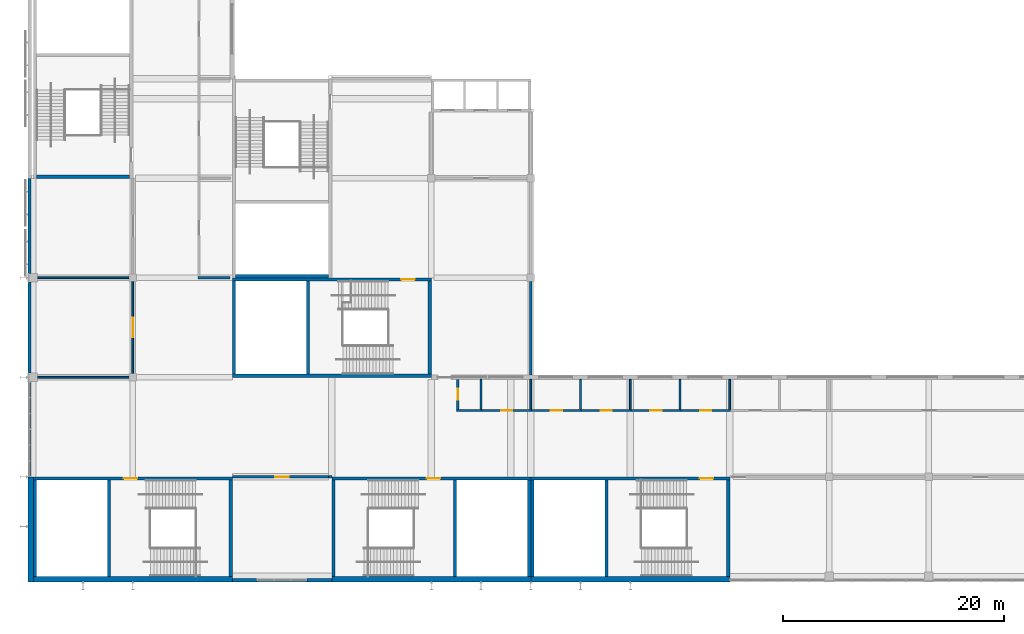
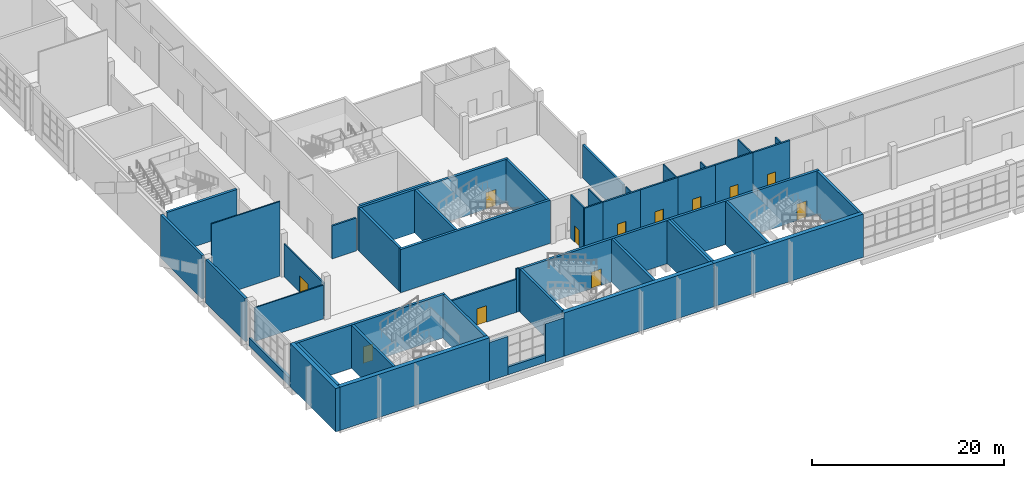
# One storey, part 32 of 84: 49 walls, 12 doors, 12 openings.
"""IFC4 building model written with IfcOpenShell, lengths in metres."""

from ifc_helpers import new_model, si_unit, direction, frame, frame_2d, origin, place, context, subcontext, project, spatial, rectangle, extrude, material, layer, layer_set, type_object, element, fill, save


model = new_model("IFC4")

# Units and contexts
model_context = context("Model", 3, precision=1e-05, world=origin(), true_north=direction((0.0, 1.0)))
body_context = subcontext(model_context, "Body", "Model", "MODEL_VIEW")
ifc_project = project(units=[si_unit("LENGTHUNIT", "METRE"), si_unit("AREAUNIT", "SQUARE_METRE"), si_unit("VOLUMEUNIT", "CUBIC_METRE"), si_unit("PLANEANGLEUNIT", "RADIAN"), si_unit("MASSUNIT", "GRAM", prefix="KILO")], contexts=[model_context])

# Site, building, storey
site_placement = place(None, origin())
site = spatial("IfcSite", under=ifc_project, at=site_placement, CompositionType="ELEMENT")
building_placement = place(site_placement, origin())
building = spatial("IfcBuilding", under=site, at=building_placement, Name="Silverbay Arena", CompositionType="ELEMENT")
storey_placement = place(building_placement, frame((0.0, 0.0, 28.0)))
storey = spatial("IfcBuildingStorey", under=building, at=storey_placement, Name="L04", CompositionType="ELEMENT", Elevation=28.0)

# Walls
ifc_material_1 = material(Name="Anodised aluminium cladding on insulated backing", Category="aluminium")
ifc_layer_1 = layer(ifc_material_1, 0.300048828125)
ifc_layer_set_1 = layer_set([ifc_layer_1], Name="Anodised aluminium cladding on insulated backing")
wall_type_1 = type_object("IfcWallType", Name="Aluminium clad wall 300", PredefinedType="SOLIDWALL", material=ifc_layer_set_1)
for number, where, z_axis, x_axis, name in (
    (1, (72.0, 17.64990234375, 0.0), (0.0, 0.0, 1.0), (1.0, 0.0, 0.0), "South external wall L04 bay 3 pier"),
    (2, (78.75, 17.64990234375, 0.0), (0.0, 0.0, 1.0), (1.0, 0.0, 0.0), "South external wall L04 bay 3 pier"),
):
    element("IfcWall", number, at=place(storey_placement, frame(where, z_axis=z_axis, x_axis=x_axis)), inside=storey, type_object=wall_type_1, Name=name, PredefinedType="SOLIDWALL", context=body_context, shape_type="SweptSolid", body=[
        extrude(rectangle(XDim=2.25, YDim=0.300048828125, at=frame_2d((1.125, 0.0))), origin(), (0.0, 0.0, 1.0), 4.89990234375),
    ])
wall_1_placement = place(storey_placement, frame((74.25, 17.64990234375, 0.0), z_axis=(0.0, 0.0, 1.0), x_axis=(1.0, 0.0, 0.0)))
element("IfcWall", 3, at=wall_1_placement, inside=storey, type_object=wall_type_1, Name="South external wall L04 bay 3 sill wall", PredefinedType="SOLIDWALL", context=body_context, shape_type="SweptSolid", body=[
    extrude(rectangle(XDim=4.5, YDim=0.300048828125, at=frame_2d((2.25, 0.0))), origin(), (0.0, 0.0, 1.0), 1.0),
])
wall_2_placement = place(storey_placement, frame((53.64990234375, 35.60009765625, 0.0), z_axis=(0.0, 0.0, 1.0), x_axis=(0.0, -1.0, 0.0)))
element("IfcWall", 4, at=wall_2_placement, inside=storey, type_object=wall_type_1, Name="West sill wall L04 bay 2", PredefinedType="SOLIDWALL", context=body_context, shape_type="SweptSolid", body=[
    extrude(rectangle(XDim=8.60009765625, YDim=0.300048828125, at=frame_2d((4.300048828125, 0.0))), origin(), (0.0, 0.0, 1.0), 1.0),
])
wall_3_placement = place(storey_placement, frame((53.64990234375, 44.60009765625, 0.0), z_axis=(0.0, 0.0, 1.0), x_axis=(0.0, -1.0, 0.0)))
element("IfcWall", 5, at=wall_3_placement, inside=storey, type_object=wall_type_1, Name="West external wall L04 bay 3", PredefinedType="SOLIDWALL", context=body_context, shape_type="SweptSolid", body=[
    extrude(rectangle(XDim=8.2001953125, YDim=0.300048828125, at=frame_2d((4.10009765625, 0.0))), origin(), (0.0, 0.0, 1.0), 5.5),
])
wall_4_placement = place(storey_placement, frame((53.64990234375, 54.0, 0.0), z_axis=(0.0, 0.0, 1.0), x_axis=(0.0, -1.0, 0.0)))
element("IfcWall", 6, at=wall_4_placement, inside=storey, type_object=wall_type_1, Name="West external wall L04 bay 4", PredefinedType="SOLIDWALL", context=body_context, shape_type="SweptSolid", body=[
    extrude(rectangle(XDim=8.60009765625, YDim=0.300048828125, at=frame_2d((4.300048828125, 0.0))), origin(), (0.0, 0.0, 1.0), 5.5),
])
ifc_material_2 = material(Name="Concrete Grade C45", Category="concrete")
ifc_layer_2 = layer(ifc_material_2, 0.25)
ifc_layer_set_2 = layer_set([ifc_layer_2], Name="Concrete Grade C45")
wall_type_2 = type_object("IfcWallType", Name="Bowl enclosure wall RC 250 EI 120", PredefinedType="SOLIDWALL", material=ifc_layer_set_2)
wall_5_placement = place(storey_placement, frame((99.0, 36.199951171875, 0.0), z_axis=(0.0, 0.0, 1.0), x_axis=(0.0, 1.0, 0.0)))
element("IfcWall", 7, at=wall_5_placement, inside=storey, type_object=wall_type_2, Name="Bowl enclosure wall, corner block SW-x", PredefinedType="SOLIDWALL", context=body_context, shape_type="SweptSolid", body=[
    extrude(rectangle(XDim=8.449951171875, YDim=0.25, at=frame_2d((4.22509765625, 0.0))), origin(), (0.0, 0.0, 1.0), 4.199951171875),
])

# Wall, opening, door
ifc_material_3 = material(Name="Concrete Grade C45", Category="concrete")
ifc_layer_3 = layer(ifc_material_3, 0.300048828125)
ifc_layer_set_3 = layer_set([ifc_layer_3], Name="Concrete Grade C45")
wall_type_3 = type_object("IfcWallType", Name="Core wall RC 300 EI 120", PredefinedType="SHEAR", material=ifc_layer_set_3)
wall_6_placement = place(storey_placement, frame((81.0, 26.85009765625, 0.0), z_axis=(0.0, 0.0, 1.0), x_axis=(1.0, 0.0, 0.0)))
wall_6 = element("IfcWall", 8, at=wall_6_placement, inside=storey, type_object=wall_type_3, Name="Core wall ST-S1 L04 door side", PredefinedType="SHEAR", context=body_context, shape_type="SweptSolid", body=[
    extrude(rectangle(XDim=18.0, YDim=0.300048828125, at=frame_2d((9.0, 0.0))), origin(), (0.0, 0.0, 1.0), 5.5),
])
opening_1_placement = place(wall_6_placement, frame((8.60009765625, 0.0, 0.0)))
opening_1 = element("IfcOpeningElement", 9, at=opening_1_placement, cuts=wall_6, Name="Opening L04-055", PredefinedType="OPENING", context=body_context, shape_type="SweptSolid", body=[
    extrude(rectangle(XDim=1.199951171875, YDim=2.10009765625, at=frame_2d((0.60009765625, 1.050048828125))), frame((0.0, 0.16015625, 0.0), z_axis=(0.0, -1.0, 0.0), x_axis=(1.0, 0.0, 0.0)), (0.0, 0.0, 1.0), 0.320068359375),
])
ifc_material_4 = material(Name="Steel fire door", Category="steel")
door_type_1 = type_object("IfcDoorType", Name="Stair door 1200 x 2100 fire door", OperationType="SINGLE_SWING_LEFT", PredefinedType="DOOR", material=ifc_material_4)
door_1_placement = place(opening_1_placement, frame((1.199951171875, 0.0, 0.0), z_axis=(0.0, 0.0, 1.0), x_axis=(-1.0, 0.0, 0.0)))
door_1 = element("IfcDoor", 10, at=door_1_placement, inside=storey, type_object=door_type_1, Name="Stair door ST-S1 L04", OperationType="SINGLE_SWING_LEFT", OverallHeight=2.10009765625, OverallWidth=1.199951171875, PredefinedType="DOOR", context=body_context, shape_type="SweptSolid", body=[
    extrude(rectangle(XDim=1.199951171875, YDim=2.10009765625, at=frame_2d((0.60009765625, 1.050048828125))), frame((0.0, 0.02490234375, 0.0), z_axis=(0.0, -1.0, 0.0), x_axis=(1.0, 0.0, 0.0)), (0.0, 0.0, 1.0), 0.050048828125),
])
fill(opening_1, door_1)

# Walls
for number, where, z_axis, x_axis, name in (
    (11, (81.14990234375, 26.699951171875, 0.0), (0.0, 0.0, 1.0), (0.0, -1.0, 0.0), "Core wall ST-S1 L04 end 1"),
    (12, (98.85009765625, 26.699951171875, 0.0), (0.0, 0.0, 1.0), (0.0, -1.0, 0.0), "Core wall ST-S1 L04 end 2"),
    (13, (92.14990234375, 26.699951171875, 0.0), (0.0, 0.0, 1.0), (0.0, -1.0, 0.0), "Core wall ST-S1 L04 stair enclosure"),
):
    element("IfcWall", number, at=place(storey_placement, frame(where, z_axis=z_axis, x_axis=x_axis)), inside=storey, type_object=wall_type_3, Name=name, PredefinedType="SHEAR", context=body_context, shape_type="SweptSolid", body=[
        extrude(rectangle(XDim=8.699951171875, YDim=0.300048828125, at=frame_2d((4.35009765625, 0.0))), origin(), (0.0, 0.0, 1.0), 5.5),
    ])

# Wall, opening, door
wall_7_placement = place(storey_placement, frame((117.0, 26.85009765625, 0.0), z_axis=(0.0, 0.0, 1.0), x_axis=(-1.0, 0.0, 0.0)))
wall_7 = element("IfcWall", 14, at=wall_7_placement, inside=storey, type_object=wall_type_3, Name="Core wall ST-S2 L04 door side", PredefinedType="SHEAR", context=body_context, shape_type="SweptSolid", body=[
    extrude(rectangle(XDim=18.0, YDim=0.300048828125, at=frame_2d((9.0, 0.0))), origin(), (0.0, 0.0, 1.0), 5.5),
])
opening_2_placement = place(wall_7_placement, frame((1.5, 0.0, 0.0)))
opening_2 = element("IfcOpeningElement", 15, at=opening_2_placement, cuts=wall_7, Name="Opening L04-056", PredefinedType="OPENING", context=body_context, shape_type="SweptSolid", body=[
    extrude(rectangle(XDim=1.199951171875, YDim=2.10009765625, at=frame_2d((0.60009765625, 1.050048828125))), frame((0.0, 0.16015625, 0.0), z_axis=(0.0, -1.0, 0.0), x_axis=(1.0, 0.0, 0.0)), (0.0, 0.0, 1.0), 0.320068359375),
])
door_2_placement = place(opening_2_placement, origin())
door_2 = element("IfcDoor", 16, at=door_2_placement, inside=storey, type_object=door_type_1, Name="Stair door ST-S2 L04", OperationType="SINGLE_SWING_LEFT", OverallHeight=2.10009765625, OverallWidth=1.199951171875, PredefinedType="DOOR", context=body_context, shape_type="SweptSolid", body=[
    extrude(rectangle(XDim=1.199951171875, YDim=2.10009765625, at=frame_2d((0.60009765625, 1.050048828125))), frame((0.0, 0.02490234375, 0.0), z_axis=(0.0, -1.0, 0.0), x_axis=(1.0, 0.0, 0.0)), (0.0, 0.0, 1.0), 0.050048828125),
])
fill(opening_2, door_2)

# Walls
for number, where, z_axis, x_axis, name in (
    (17, (116.85009765625, 26.699951171875, 0.0), (0.0, 0.0, 1.0), (0.0, -1.0, 0.0), "Core wall ST-S2 L04 end 1"),
    (18, (99.14990234375, 26.699951171875, 0.0), (0.0, 0.0, 1.0), (0.0, -1.0, 0.0), "Core wall ST-S2 L04 end 2"),
    (19, (105.85009765625, 26.699951171875, 0.0), (0.0, 0.0, 1.0), (0.0, -1.0, 0.0), "Core wall ST-S2 L04 stair enclosure"),
):
    element("IfcWall", number, at=place(storey_placement, frame(where, z_axis=z_axis, x_axis=x_axis)), inside=storey, type_object=wall_type_3, Name=name, PredefinedType="SHEAR", context=body_context, shape_type="SweptSolid", body=[
        extrude(rectangle(XDim=8.699951171875, YDim=0.300048828125, at=frame_2d((4.35009765625, 0.0))), origin(), (0.0, 0.0, 1.0), 5.5),
    ])

# Wall, opening, door
wall_8_placement = place(storey_placement, frame((72.0, 26.85009765625, 0.0), z_axis=(0.0, 0.0, 1.0), x_axis=(-1.0, 0.0, 0.0)))
wall_8 = element("IfcWall", 20, at=wall_8_placement, inside=storey, type_object=wall_type_3, Name="Core wall ST-S5 L04 door side", PredefinedType="SHEAR", context=body_context, shape_type="SweptSolid", body=[
    extrude(rectangle(XDim=18.0, YDim=0.300048828125, at=frame_2d((9.0, 0.0))), origin(), (0.0, 0.0, 1.0), 5.5),
])
opening_3_placement = place(wall_8_placement, frame((8.60009765625, 0.0, 0.0)))
opening_3 = element("IfcOpeningElement", 21, at=opening_3_placement, cuts=wall_8, Name="Opening L04-063", PredefinedType="OPENING", context=body_context, shape_type="SweptSolid", body=[
    extrude(rectangle(XDim=1.199951171875, YDim=2.10009765625, at=frame_2d((0.60009765625, 1.050048828125))), frame((0.0, 0.16015625, 0.0), z_axis=(0.0, -1.0, 0.0), x_axis=(1.0, 0.0, 0.0)), (0.0, 0.0, 1.0), 0.320068359375),
])
door_3_placement = place(opening_3_placement, origin())
door_3 = element("IfcDoor", 22, at=door_3_placement, inside=storey, type_object=door_type_1, Name="Stair door ST-S5 L04", OperationType="SINGLE_SWING_RIGHT", OverallHeight=2.10009765625, OverallWidth=1.199951171875, PredefinedType="DOOR", context=body_context, shape_type="SweptSolid", body=[
    extrude(rectangle(XDim=1.199951171875, YDim=2.10009765625, at=frame_2d((0.60009765625, 1.050048828125))), frame((0.0, 0.02490234375, 0.0), z_axis=(0.0, -1.0, 0.0), x_axis=(1.0, 0.0, 0.0)), (0.0, 0.0, 1.0), 0.050048828125),
])
fill(opening_3, door_3)

# Walls
for number, where, z_axis, x_axis, name in (
    (23, (71.85009765625, 26.699951171875, 0.0), (0.0, 0.0, 1.0), (0.0, -1.0, 0.0), "Core wall ST-S5 L04 end 1"),
    (24, (54.14990234375, 26.699951171875, 0.0), (0.0, 0.0, 1.0), (0.0, -1.0, 0.0), "Core wall ST-S5 L04 end 2"),
    (25, (60.85009765625, 26.699951171875, 0.0), (0.0, 0.0, 1.0), (0.0, -1.0, 0.0), "Core wall ST-S5 L04 stair enclosure"),
):
    element("IfcWall", number, at=place(storey_placement, frame(where, z_axis=z_axis, x_axis=x_axis)), inside=storey, type_object=wall_type_3, Name=name, PredefinedType="SHEAR", context=body_context, shape_type="SweptSolid", body=[
        extrude(rectangle(XDim=8.699951171875, YDim=0.300048828125, at=frame_2d((4.35009765625, 0.0))), origin(), (0.0, 0.0, 1.0), 5.5),
    ])
wall_9_placement = place(storey_placement, frame((62.699951171875, 54.14990234375, 0.0), z_axis=(0.0, 0.0, 1.0), x_axis=(-1.0, 0.0, 0.0)))
element("IfcWall", 26, at=wall_9_placement, inside=storey, type_object=wall_type_3, Name="Core wall ST-W1 L04 end 1", PredefinedType="SHEAR", context=body_context, shape_type="SweptSolid", body=[
    extrude(rectangle(XDim=8.39990234375, YDim=0.300048828125, at=frame_2d((4.199951171875, 0.0))), origin(), (0.0, 0.0, 1.0), 5.5),
])

# Wall, opening, door
wall_10_placement = place(storey_placement, frame((90.0, 44.85009765625, 0.0), z_axis=(0.0, 0.0, 1.0), x_axis=(-1.0, 0.0, 0.0)))
wall_10 = element("IfcWall", 27, at=wall_10_placement, inside=storey, type_object=wall_type_3, Name="Core wall ST-SW1 L04 door side", PredefinedType="SHEAR", context=body_context, shape_type="SweptSolid", body=[
    extrude(rectangle(XDim=18.0, YDim=0.300048828125, at=frame_2d((9.0, 0.0))), origin(), (0.0, 0.0, 1.0), 5.5),
])
opening_4_placement = place(wall_10_placement, frame((1.5, 0.0, 0.0)))
opening_4 = element("IfcOpeningElement", 28, at=opening_4_placement, cuts=wall_10, Name="Opening L04-071", PredefinedType="OPENING", context=body_context, shape_type="SweptSolid", body=[
    extrude(rectangle(XDim=1.199951171875, YDim=2.10009765625, at=frame_2d((0.60009765625, 1.050048828125))), frame((0.0, 0.16015625, 0.0), z_axis=(0.0, -1.0, 0.0), x_axis=(1.0, 0.0, 0.0)), (0.0, 0.0, 1.0), 0.320068359375),
])
door_4_placement = place(opening_4_placement, origin())
door_4 = element("IfcDoor", 29, at=door_4_placement, inside=storey, type_object=door_type_1, Name="Stair door ST-SW1 L04", OperationType="SINGLE_SWING_LEFT", OverallHeight=2.10009765625, OverallWidth=1.199951171875, PredefinedType="DOOR", context=body_context, shape_type="SweptSolid", body=[
    extrude(rectangle(XDim=1.199951171875, YDim=2.10009765625, at=frame_2d((0.60009765625, 1.050048828125))), frame((0.0, 0.02490234375, 0.0), z_axis=(0.0, -1.0, 0.0), x_axis=(1.0, 0.0, 0.0)), (0.0, 0.0, 1.0), 0.050048828125),
])
fill(opening_4, door_4)

# Walls
wall_11_placement = place(storey_placement, frame((90.0, 36.14990234375, 0.0), z_axis=(0.0, 0.0, 1.0), x_axis=(-1.0, 0.0, 0.0)))
element("IfcWall", 30, at=wall_11_placement, inside=storey, type_object=wall_type_3, Name="Core wall ST-SW1 L04 far side", PredefinedType="SHEAR", context=body_context, shape_type="SweptSolid", body=[
    extrude(rectangle(XDim=18.0, YDim=0.300048828125, at=frame_2d((9.0, 0.0))), origin(), (0.0, 0.0, 1.0), 5.5),
])
for number, where, z_axis, x_axis, name in (
    (31, (89.85009765625, 44.699951171875, 0.0), (0.0, 0.0, 1.0), (0.0, -1.0, 0.0), "Core wall ST-SW1 L04 end 1"),
    (32, (72.14990234375, 44.699951171875, 0.0), (0.0, 0.0, 1.0), (0.0, -1.0, 0.0), "Core wall ST-SW1 L04 end 2"),
    (33, (78.85009765625, 44.699951171875, 0.0), (0.0, 0.0, 1.0), (0.0, -1.0, 0.0), "Core wall ST-SW1 L04 stair enclosure"),
    (34, (80.699951171875, 45.14990234375, 0.0), (0.0, 0.0, 1.0), (-1.0, 0.0, 0.0), "Core wall ST-SW2 L04 end 2"),
):
    element("IfcWall", number, at=place(storey_placement, frame(where, z_axis=z_axis, x_axis=x_axis)), inside=storey, type_object=wall_type_3, Name=name, PredefinedType="SHEAR", context=body_context, shape_type="SweptSolid", body=[
        extrude(rectangle(XDim=8.39990234375, YDim=0.300048828125, at=frame_2d((4.199951171875, 0.0))), origin(), (0.0, 0.0, 1.0), 5.5),
    ])
ifc_material_5 = material(Name="Concrete Grade C45", Category="concrete")
ifc_layer_4 = layer(ifc_material_5, 0.5)
ifc_layer_set_4 = layer_set([ifc_layer_4], Name="Concrete Grade C45")
wall_type_4 = type_object("IfcWallType", Name="Core wall RC 500 external EI 120", PredefinedType="SHEAR", material=ifc_layer_set_4)
for number, where, z_axis, x_axis, name in (
    (35, (81.0, 17.75, 0.0), (0.0, 0.0, 1.0), (1.0, 0.0, 0.0), "Core wall ST-S1 L04 facade side"),
    (36, (117.0, 17.75, 0.0), (0.0, 0.0, 1.0), (-1.0, 0.0, 0.0), "Core wall ST-S2 L04 facade side"),
    (37, (72.0, 17.75, 0.0), (0.0, 0.0, 1.0), (-1.0, 0.0, 0.0), "Core wall ST-S5 L04 facade side"),
):
    element("IfcWall", number, at=place(storey_placement, frame(where, z_axis=z_axis, x_axis=x_axis)), inside=storey, type_object=wall_type_4, Name=name, PredefinedType="SHEAR", context=body_context, shape_type="SweptSolid", body=[
        extrude(rectangle(XDim=18.0, YDim=0.5, at=frame_2d((9.0, 0.0))), origin(), (0.0, 0.0, 1.0), 5.5),
    ])
ifc_material_6 = material(Name="Gypsum board partition on steel studs", Category="steel")
ifc_layer_5 = layer(ifc_material_6, 0.14990234375)
ifc_layer_set_5 = layer_set([ifc_layer_5], Name="Gypsum board partition on steel studs")
wall_type_5 = type_object("IfcWallType", Name="Partition 150 EI 60", PredefinedType="PARTITIONING", material=ifc_layer_set_5)
wall_12_placement = place(storey_placement, frame((54.39990234375, 36.0, 0.0), z_axis=(0.0, 0.0, 1.0), x_axis=(1.0, 0.0, 0.0)))
element("IfcWall", 38, at=wall_12_placement, inside=storey, type_object=wall_type_5, Name="Partition wall", PredefinedType="PARTITIONING", context=body_context, shape_type="SweptSolid", body=[
    extrude(rectangle(XDim=8.25, YDim=0.14990234375, at=frame_2d((4.125, 0.0))), origin(), (0.0, 0.0, 1.0), 4.300048828125),
])
wall_13_placement = place(storey_placement, frame((54.39990234375, 45.0, 0.0), z_axis=(0.0, 0.0, 1.0), x_axis=(1.0, 0.0, 0.0)))
element("IfcWall", 39, at=wall_13_placement, inside=storey, type_object=wall_type_5, Name="Partition wall", PredefinedType="PARTITIONING", context=body_context, shape_type="SweptSolid", body=[
    extrude(rectangle(XDim=8.25, YDim=0.14990234375, at=frame_2d((4.125, 0.0))), origin(), (0.0, 0.0, 1.0), 9.5),
])

# Wall, opening, door
wall_14_placement = place(storey_placement, frame((63.0, 36.35009765625, 0.0), z_axis=(0.0, 0.0, 1.0), x_axis=(0.0, 1.0, 0.0)))
wall_14 = element("IfcWall", 40, at=wall_14_placement, inside=storey, type_object=wall_type_5, Name="Partition wall", PredefinedType="PARTITIONING", context=body_context, shape_type="SweptSolid", body=[
    extrude(rectangle(XDim=8.2998046875, YDim=0.14990234375, at=frame_2d((4.14990234375, 0.0))), origin(), (0.0, 0.0, 1.0), 4.199951171875),
])
opening_5_placement = place(wall_14_placement, frame((3.25, 0.0, 0.0)))
opening_5 = element("IfcOpeningElement", 41, at=opening_5_placement, cuts=wall_14, Name="Opening L04-007", PredefinedType="OPENING", context=body_context, shape_type="SweptSolid", body=[
    extrude(rectangle(XDim=1.800048828125, YDim=2.10009765625, at=frame_2d((0.89990234375, 1.050048828125))), frame((0.0, 0.0849609375, 0.0), z_axis=(0.0, -1.0, 0.0), x_axis=(1.0, 0.0, 0.0)), (0.0, 0.0, 1.0), 0.169921875),
])
ifc_material_7 = material(Name="Steel faced timber", Category="steel")
door_type_2 = type_object("IfcDoorType", Name="Double leaf door 1800 x 2100 FD30S", OperationType="DOUBLE_DOOR_DOUBLE_SWING", PredefinedType="DOOR", material=ifc_material_7)
door_5_placement = place(opening_5_placement, origin())
door_5 = element("IfcDoor", 42, at=door_5_placement, inside=storey, type_object=door_type_2, Name="Door L04-007", OperationType="DOUBLE_DOOR_DOUBLE_SWING", OverallHeight=2.10009765625, OverallWidth=1.800048828125, PredefinedType="DOOR", context=body_context, shape_type="SweptSolid", body=[
    extrude(rectangle(XDim=1.800048828125, YDim=2.10009765625, at=frame_2d((0.89990234375, 1.050048828125))), frame((0.0, 0.02490234375, 0.0), z_axis=(0.0, -1.0, 0.0), x_axis=(1.0, 0.0, 0.0)), (0.0, 0.0, 1.0), 0.050048828125),
])
fill(opening_5, door_5)

# Walls
wall_15_placement = place(storey_placement, frame((94.5, 33.10009765625, 0.0), z_axis=(0.0, 0.0, 1.0), x_axis=(0.0, 1.0, 0.0)))
element("IfcWall", 43, at=wall_15_placement, inside=storey, type_object=wall_type_5, Name="Partition wall", PredefinedType="PARTITIONING", context=body_context, shape_type="SweptSolid", body=[
    extrude(rectangle(XDim=2.699951171875, YDim=0.14990234375, at=frame_2d((1.35009765625, 0.0))), origin(), (0.0, 0.0, 1.0), 5.5),
])
wall_16_placement = place(storey_placement, frame((99.0, 33.10009765625, 0.0), z_axis=(0.0, 0.0, 1.0), x_axis=(0.0, 1.0, 0.0)))
element("IfcWall", 44, at=wall_16_placement, inside=storey, type_object=wall_type_5, Name="Partition wall", PredefinedType="PARTITIONING", context=body_context, shape_type="SweptSolid", body=[
    extrude(rectangle(XDim=2.699951171875, YDim=0.14990234375, at=frame_2d((1.35009765625, 0.0))), origin(), (0.0, 0.0, 1.0), 4.199951171875),
])
wall_17_placement = place(storey_placement, frame((103.5, 33.10009765625, 0.0), z_axis=(0.0, 0.0, 1.0), x_axis=(0.0, 1.0, 0.0)))
element("IfcWall", 45, at=wall_17_placement, inside=storey, type_object=wall_type_5, Name="Partition wall", PredefinedType="PARTITIONING", context=body_context, shape_type="SweptSolid", body=[
    extrude(rectangle(XDim=2.699951171875, YDim=0.14990234375, at=frame_2d((1.35009765625, 0.0))), origin(), (0.0, 0.0, 1.0), 5.5),
])
wall_18_placement = place(storey_placement, frame((108.0, 33.10009765625, 0.0), z_axis=(0.0, 0.0, 1.0), x_axis=(0.0, 1.0, 0.0)))
element("IfcWall", 46, at=wall_18_placement, inside=storey, type_object=wall_type_5, Name="Partition wall", PredefinedType="PARTITIONING", context=body_context, shape_type="SweptSolid", body=[
    extrude(rectangle(XDim=2.699951171875, YDim=0.14990234375, at=frame_2d((1.35009765625, 0.0))), origin(), (0.0, 0.0, 1.0), 4.199951171875),
])
wall_19_placement = place(storey_placement, frame((112.5, 33.10009765625, 0.0), z_axis=(0.0, 0.0, 1.0), x_axis=(0.0, 1.0, 0.0)))
element("IfcWall", 47, at=wall_19_placement, inside=storey, type_object=wall_type_5, Name="Partition wall", PredefinedType="PARTITIONING", context=body_context, shape_type="SweptSolid", body=[
    extrude(rectangle(XDim=2.699951171875, YDim=0.14990234375, at=frame_2d((1.35009765625, 0.0))), origin(), (0.0, 0.0, 1.0), 5.5),
])
wall_20_placement = place(storey_placement, frame((117.0, 33.10009765625, 0.0), z_axis=(0.0, 0.0, 1.0), x_axis=(0.0, 1.0, 0.0)))
element("IfcWall", 48, at=wall_20_placement, inside=storey, type_object=wall_type_5, Name="Partition wall", PredefinedType="PARTITIONING", context=body_context, shape_type="SweptSolid", body=[
    extrude(rectangle(XDim=2.699951171875, YDim=0.14990234375, at=frame_2d((1.35009765625, 0.0))), origin(), (0.0, 0.0, 1.0), 4.199951171875),
])

# Wall, opening, door
ifc_material_8 = material(Name="Masonry blockwork partition", Category="masonry")
ifc_layer_6 = layer(ifc_material_8, 0.199951171875)
ifc_layer_set_6 = layer_set([ifc_layer_6], Name="Masonry blockwork partition")
wall_type_6 = type_object("IfcWallType", Name="Partition 200 EI 120", PredefinedType="PARTITIONING", material=ifc_layer_set_6)
wall_21_placement = place(storey_placement, frame((72.0, 27.0, 0.0), z_axis=(0.0, 0.0, 1.0), x_axis=(1.0, 0.0, 0.0)))
wall_21 = element("IfcWall", 49, at=wall_21_placement, inside=storey, type_object=wall_type_6, Name="Partition wall", PredefinedType="PARTITIONING", context=body_context, shape_type="SweptSolid", body=[
    extrude(rectangle(XDim=8.699951171875, YDim=0.199951171875, at=frame_2d((4.35009765625, 0.0))), origin(), (0.0, 0.0, 1.0), 4.199951171875),
])
opening_6_placement = place(wall_21_placement, frame((3.89990234375, 0.0, 0.0)))
opening_6 = element("IfcOpeningElement", 50, at=opening_6_placement, cuts=wall_21, Name="Opening L04-001", PredefinedType="OPENING", context=body_context, shape_type="SweptSolid", body=[
    extrude(rectangle(XDim=1.199951171875, YDim=2.10009765625, at=frame_2d((0.60009765625, 1.050048828125))), frame((0.0, 0.10986328125, 0.0), z_axis=(0.0, -1.0, 0.0), x_axis=(1.0, 0.0, 0.0)), (0.0, 0.0, 1.0), 0.219970703125),
])
ifc_material_9 = material(Name="Steel faced timber", Category="steel")
door_type_3 = type_object("IfcDoorType", Name="Single leaf door 1200 x 2100 FD120", OperationType="SINGLE_SWING_LEFT", PredefinedType="DOOR", material=ifc_material_9)
door_6_placement = place(opening_6_placement, frame((1.199951171875, 0.0, 0.0), z_axis=(0.0, 0.0, 1.0), x_axis=(-1.0, 0.0, 0.0)))
door_6 = element("IfcDoor", 51, at=door_6_placement, inside=storey, type_object=door_type_3, Name="Door L04-001", OperationType="SINGLE_SWING_RIGHT", OverallHeight=2.10009765625, OverallWidth=1.199951171875, PredefinedType="DOOR", context=body_context, shape_type="SweptSolid", body=[
    extrude(rectangle(XDim=1.199951171875, YDim=2.10009765625, at=frame_2d((0.60009765625, 1.050048828125))), frame((0.0, 0.02490234375, 0.0), z_axis=(0.0, -1.0, 0.0), x_axis=(1.0, 0.0, 0.0)), (0.0, 0.0, 1.0), 0.050048828125),
])
fill(opening_6, door_6)

# Wall
wall_22_placement = place(storey_placement, frame((92.300048828125, 33.0, 0.0), z_axis=(0.0, 0.0, 1.0), x_axis=(1.0, 0.0, 0.0)))
element("IfcWall", 52, at=wall_22_placement, inside=storey, type_object=wall_type_6, Name="Partition wall", PredefinedType="PARTITIONING", context=body_context, shape_type="SweptSolid", body=[
    extrude(rectangle(XDim=2.27490234375, YDim=0.199951171875, at=frame_2d((1.137451171875, 0.0))), origin(), (0.0, 0.0, 1.0), 5.5),
])

# Wall, opening, door
wall_23_placement = place(storey_placement, frame((94.574951171875, 33.0, 0.0), z_axis=(0.0, 0.0, 1.0), x_axis=(1.0, 0.0, 0.0)))
wall_23 = element("IfcWall", 53, at=wall_23_placement, inside=storey, type_object=wall_type_6, Name="Partition wall", PredefinedType="PARTITIONING", context=body_context, shape_type="SweptSolid", body=[
    extrude(rectangle(XDim=4.5, YDim=0.199951171875, at=frame_2d((2.25, 0.0))), origin(), (0.0, 0.0, 1.0), 5.5),
])
opening_7_placement = place(wall_23_placement, frame((1.75, 0.0, 0.0)))
opening_7 = element("IfcOpeningElement", 54, at=opening_7_placement, cuts=wall_23, Name="Opening L04-024", PredefinedType="OPENING", context=body_context, shape_type="SweptSolid", body=[
    extrude(rectangle(XDim=1.0, YDim=2.10009765625, at=frame_2d((0.5, 1.050048828125))), frame((0.0, 0.10986328125, 0.0), z_axis=(0.0, -1.0, 0.0), x_axis=(1.0, 0.0, 0.0)), (0.0, 0.0, 1.0), 0.219970703125),
])
ifc_material_10 = material(Name="Steel faced timber", Category="steel")
door_type_4 = type_object("IfcDoorType", Name="Single leaf door 1000 x 2100 FD120", OperationType="SINGLE_SWING_LEFT", PredefinedType="DOOR", material=ifc_material_10)
door_7_placement = place(opening_7_placement, origin())
door_7 = element("IfcDoor", 55, at=door_7_placement, inside=storey, type_object=door_type_4, Name="Door L04-024", OperationType="SINGLE_SWING_RIGHT", OverallHeight=2.10009765625, OverallWidth=1.0, PredefinedType="DOOR", context=body_context, shape_type="SweptSolid", body=[
    extrude(rectangle(XDim=1.0, YDim=2.10009765625, at=frame_2d((0.5, 1.050048828125))), frame((0.0, 0.02490234375, 0.0), z_axis=(0.0, -1.0, 0.0), x_axis=(1.0, 0.0, 0.0)), (0.0, 0.0, 1.0), 0.050048828125),
])
fill(opening_7, door_7)

wall_24_placement = place(storey_placement, frame((99.074951171875, 33.0, 0.0), z_axis=(0.0, 0.0, 1.0), x_axis=(1.0, 0.0, 0.0)))
wall_24 = element("IfcWall", 56, at=wall_24_placement, inside=storey, type_object=wall_type_6, Name="Partition wall", PredefinedType="PARTITIONING", context=body_context, shape_type="SweptSolid", body=[
    extrude(rectangle(XDim=4.5, YDim=0.199951171875, at=frame_2d((2.25, 0.0))), origin(), (0.0, 0.0, 1.0), 5.5),
])
opening_8_placement = place(wall_24_placement, frame((1.75, 0.0, 0.0)))
opening_8 = element("IfcOpeningElement", 57, at=opening_8_placement, cuts=wall_24, Name="Opening L04-025", PredefinedType="OPENING", context=body_context, shape_type="SweptSolid", body=[
    extrude(rectangle(XDim=1.0, YDim=2.10009765625, at=frame_2d((0.5, 1.050048828125))), frame((0.0, 0.10986328125, 0.0), z_axis=(0.0, -1.0, 0.0), x_axis=(1.0, 0.0, 0.0)), (0.0, 0.0, 1.0), 0.219970703125),
])
door_8_placement = place(opening_8_placement, origin())
door_8 = element("IfcDoor", 58, at=door_8_placement, inside=storey, type_object=door_type_4, Name="Door L04-025", OperationType="SINGLE_SWING_LEFT", OverallHeight=2.10009765625, OverallWidth=1.0, PredefinedType="DOOR", context=body_context, shape_type="SweptSolid", body=[
    extrude(rectangle(XDim=1.0, YDim=2.10009765625, at=frame_2d((0.5, 1.050048828125))), frame((0.0, 0.02490234375, 0.0), z_axis=(0.0, -1.0, 0.0), x_axis=(1.0, 0.0, 0.0)), (0.0, 0.0, 1.0), 0.050048828125),
])
fill(opening_8, door_8)

wall_25_placement = place(storey_placement, frame((103.574951171875, 33.0, 0.0), z_axis=(0.0, 0.0, 1.0), x_axis=(1.0, 0.0, 0.0)))
wall_25 = element("IfcWall", 59, at=wall_25_placement, inside=storey, type_object=wall_type_6, Name="Partition wall", PredefinedType="PARTITIONING", context=body_context, shape_type="SweptSolid", body=[
    extrude(rectangle(XDim=4.5, YDim=0.199951171875, at=frame_2d((2.25, 0.0))), origin(), (0.0, 0.0, 1.0), 5.5),
])
opening_9_placement = place(wall_25_placement, frame((1.75, 0.0, 0.0)))
opening_9 = element("IfcOpeningElement", 60, at=opening_9_placement, cuts=wall_25, Name="Opening L04-026", PredefinedType="OPENING", context=body_context, shape_type="SweptSolid", body=[
    extrude(rectangle(XDim=1.0, YDim=2.10009765625, at=frame_2d((0.5, 1.050048828125))), frame((0.0, 0.10986328125, 0.0), z_axis=(0.0, -1.0, 0.0), x_axis=(1.0, 0.0, 0.0)), (0.0, 0.0, 1.0), 0.219970703125),
])
door_9_placement = place(opening_9_placement, origin())
door_9 = element("IfcDoor", 61, at=door_9_placement, inside=storey, type_object=door_type_4, Name="Door L04-026", OperationType="SINGLE_SWING_RIGHT", OverallHeight=2.10009765625, OverallWidth=1.0, PredefinedType="DOOR", context=body_context, shape_type="SweptSolid", body=[
    extrude(rectangle(XDim=1.0, YDim=2.10009765625, at=frame_2d((0.5, 1.050048828125))), frame((0.0, 0.02490234375, 0.0), z_axis=(0.0, -1.0, 0.0), x_axis=(1.0, 0.0, 0.0)), (0.0, 0.0, 1.0), 0.050048828125),
])
fill(opening_9, door_9)

wall_26_placement = place(storey_placement, frame((108.074951171875, 33.0, 0.0), z_axis=(0.0, 0.0, 1.0), x_axis=(1.0, 0.0, 0.0)))
wall_26 = element("IfcWall", 62, at=wall_26_placement, inside=storey, type_object=wall_type_6, Name="Partition wall", PredefinedType="PARTITIONING", context=body_context, shape_type="SweptSolid", body=[
    extrude(rectangle(XDim=4.5, YDim=0.199951171875, at=frame_2d((2.25, 0.0))), origin(), (0.0, 0.0, 1.0), 5.5),
])
opening_10_placement = place(wall_26_placement, frame((1.75, 0.0, 0.0)))
opening_10 = element("IfcOpeningElement", 63, at=opening_10_placement, cuts=wall_26, Name="Opening L04-027", PredefinedType="OPENING", context=body_context, shape_type="SweptSolid", body=[
    extrude(rectangle(XDim=1.0, YDim=2.10009765625, at=frame_2d((0.5, 1.050048828125))), frame((0.0, 0.10986328125, 0.0), z_axis=(0.0, -1.0, 0.0), x_axis=(1.0, 0.0, 0.0)), (0.0, 0.0, 1.0), 0.219970703125),
])
door_10_placement = place(opening_10_placement, origin())
door_10 = element("IfcDoor", 64, at=door_10_placement, inside=storey, type_object=door_type_4, Name="Door L04-027", OperationType="SINGLE_SWING_LEFT", OverallHeight=2.10009765625, OverallWidth=1.0, PredefinedType="DOOR", context=body_context, shape_type="SweptSolid", body=[
    extrude(rectangle(XDim=1.0, YDim=2.10009765625, at=frame_2d((0.5, 1.050048828125))), frame((0.0, 0.02490234375, 0.0), z_axis=(0.0, -1.0, 0.0), x_axis=(1.0, 0.0, 0.0)), (0.0, 0.0, 1.0), 0.050048828125),
])
fill(opening_10, door_10)

wall_27_placement = place(storey_placement, frame((112.574951171875, 33.0, 0.0), z_axis=(0.0, 0.0, 1.0), x_axis=(1.0, 0.0, 0.0)))
wall_27 = element("IfcWall", 65, at=wall_27_placement, inside=storey, type_object=wall_type_6, Name="Partition wall", PredefinedType="PARTITIONING", context=body_context, shape_type="SweptSolid", body=[
    extrude(rectangle(XDim=4.5, YDim=0.199951171875, at=frame_2d((2.25, 0.0))), origin(), (0.0, 0.0, 1.0), 5.5),
])
opening_11_placement = place(wall_27_placement, frame((1.75, 0.0, 0.0)))
opening_11 = element("IfcOpeningElement", 66, at=opening_11_placement, cuts=wall_27, Name="Opening L04-028", PredefinedType="OPENING", context=body_context, shape_type="SweptSolid", body=[
    extrude(rectangle(XDim=1.0, YDim=2.10009765625, at=frame_2d((0.5, 1.050048828125))), frame((0.0, 0.10986328125, 0.0), z_axis=(0.0, -1.0, 0.0), x_axis=(1.0, 0.0, 0.0)), (0.0, 0.0, 1.0), 0.219970703125),
])
door_11_placement = place(opening_11_placement, origin())
door_11 = element("IfcDoor", 67, at=door_11_placement, inside=storey, type_object=door_type_4, Name="Door L04-028", OperationType="SINGLE_SWING_RIGHT", OverallHeight=2.10009765625, OverallWidth=1.0, PredefinedType="DOOR", context=body_context, shape_type="SweptSolid", body=[
    extrude(rectangle(XDim=1.0, YDim=2.10009765625, at=frame_2d((0.5, 1.050048828125))), frame((0.0, 0.02490234375, 0.0), z_axis=(0.0, -1.0, 0.0), x_axis=(1.0, 0.0, 0.0)), (0.0, 0.0, 1.0), 0.050048828125),
])
fill(opening_11, door_11)

# Wall
wall_28_placement = place(storey_placement, frame((68.89990234375, 45.0, 0.0), z_axis=(0.0, 0.0, 1.0), x_axis=(1.0, 0.0, 0.0)))
element("IfcWall", 68, at=wall_28_placement, inside=storey, type_object=wall_type_6, Name="Partition wall", PredefinedType="PARTITIONING", context=body_context, shape_type="SweptSolid", body=[
    extrude(rectangle(XDim=2.900146484375, YDim=0.199951171875, at=frame_2d((1.4501953125, 0.0))), origin(), (0.0, 0.0, 1.0), 4.199951171875),
])

# Wall, opening, door
wall_29_placement = place(storey_placement, frame((92.39990234375, 33.10009765625, 0.0), z_axis=(0.0, 0.0, 1.0), x_axis=(0.0, 1.0, 0.0)))
wall_29 = element("IfcWall", 69, at=wall_29_placement, inside=storey, type_object=wall_type_6, Name="Partition wall", PredefinedType="PARTITIONING", context=body_context, shape_type="SweptSolid", body=[
    extrude(rectangle(XDim=2.699951171875, YDim=0.199951171875, at=frame_2d((1.35009765625, 0.0))), origin(), (0.0, 0.0, 1.0), 5.5),
])
opening_12_placement = place(wall_29_placement, frame((0.85009765625, 0.0, 0.0)))
opening_12 = element("IfcOpeningElement", 70, at=opening_12_placement, cuts=wall_29, Name="Opening L04-023", PredefinedType="OPENING", context=body_context, shape_type="SweptSolid", body=[
    extrude(rectangle(XDim=1.0, YDim=2.10009765625, at=frame_2d((0.5, 1.050048828125))), frame((0.0, 0.10986328125, 0.0), z_axis=(0.0, -1.0, 0.0), x_axis=(1.0, 0.0, 0.0)), (0.0, 0.0, 1.0), 0.219970703125),
])
door_12_placement = place(opening_12_placement, frame((1.0, 0.0, 0.0), z_axis=(0.0, 0.0, 1.0), x_axis=(-1.0, 0.0, 0.0)))
door_12 = element("IfcDoor", 71, at=door_12_placement, inside=storey, type_object=door_type_4, Name="Door L04-023", OperationType="SINGLE_SWING_RIGHT", OverallHeight=2.10009765625, OverallWidth=1.0, PredefinedType="DOOR", context=body_context, shape_type="SweptSolid", body=[
    extrude(rectangle(XDim=1.0, YDim=2.10009765625, at=frame_2d((0.5, 1.050048828125))), frame((0.0, 0.02490234375, 0.0), z_axis=(0.0, -1.0, 0.0), x_axis=(1.0, 0.0, 0.0)), (0.0, 0.0, 1.0), 0.050048828125),
])
fill(opening_12, door_12)

# Walls
wall_30_placement = place(storey_placement, frame((80.699951171875, 27.0, 0.0), z_axis=(0.0, 0.0, 1.0), x_axis=(1.0, 0.0, 0.0)))
element("IfcWall", 72, at=wall_30_placement, inside=storey, type_object=wall_type_6, Name="Partition wall", PredefinedType="PARTITIONING", context=body_context, shape_type="SweptSolid", body=[
    extrude(rectangle(XDim=0.300048828125, YDim=0.199951171875, at=frame_2d((0.14990234375, 0.0))), origin(), (0.0, 0.0, 1.0), 5.5),
])
ifc_material_11 = material(Name="Concrete Grade C45", Category="concrete")
ifc_layer_7 = layer(ifc_material_11, 0.5)
ifc_layer_set_7 = layer_set([ifc_layer_7], Name="Concrete Grade C45")
wall_type_7 = type_object("IfcWallType", Name="Stair core facade wall 500", PredefinedType="SOLIDWALL", material=ifc_layer_set_7)
wall_31_placement = place(storey_placement, frame((53.75, 27.0, 0.0), z_axis=(0.0, 0.0, 1.0), x_axis=(0.0, -1.0, 0.0)))
element("IfcWall", 73, at=wall_31_placement, inside=storey, type_object=wall_type_7, Name="West stair core facade wall L04 bay 1", PredefinedType="SOLIDWALL", context=body_context, shape_type="SweptSolid", body=[
    extrude(rectangle(XDim=9.5, YDim=0.5, at=frame_2d((4.75, 0.0))), origin(), (0.0, 0.0, 1.0), 5.5),
])

save(model, "model.ifc")
